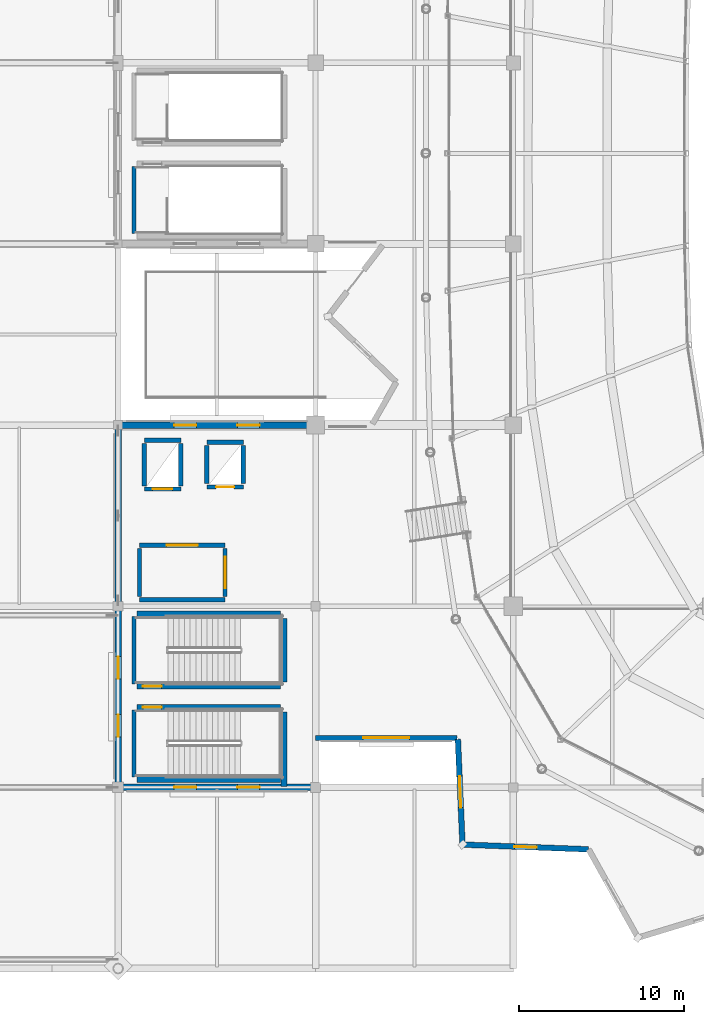
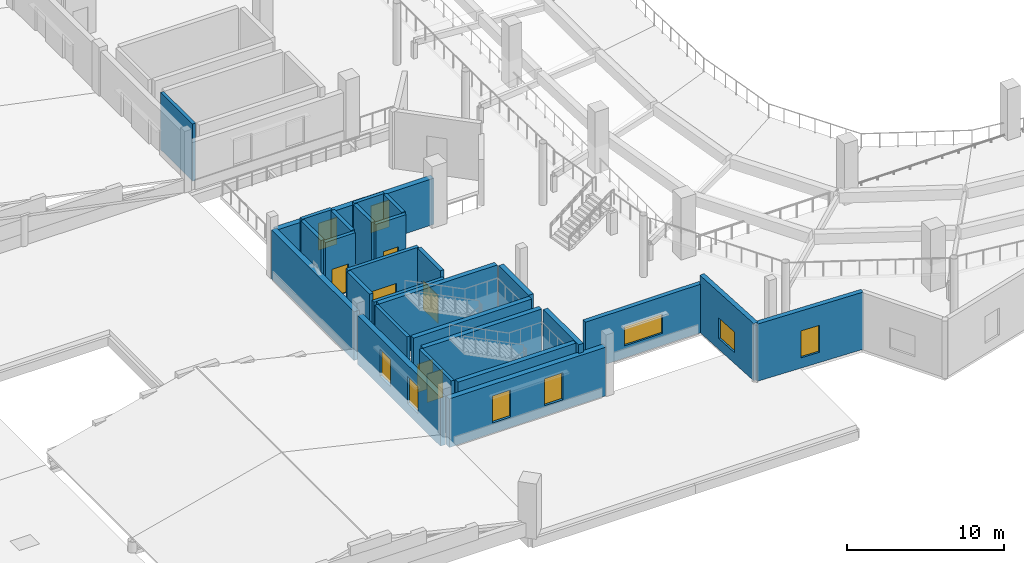
# One storey, part 51 of 77: 28 walls, 9 windows, 6 doors, 15 openings.
"""IFC4 building model written with IfcOpenShell, lengths in metres."""

from ifc_helpers import new_model, si_unit, direction, frame, frame_2d, origin, place, context, subcontext, project, spatial, rectangle, extrude, material, layer, layer_set, type_object, element, fill, save


model = new_model("IFC4")

# Units and contexts
model_context = context("Model", 3, precision=1e-05, world=origin(), true_north=direction((0.0, 1.0)))
body_context = subcontext(model_context, "Body", "Model", "MODEL_VIEW")
ifc_project = project(units=[si_unit("LENGTHUNIT", "METRE"), si_unit("AREAUNIT", "SQUARE_METRE"), si_unit("VOLUMEUNIT", "CUBIC_METRE"), si_unit("PLANEANGLEUNIT", "RADIAN"), si_unit("MASSUNIT", "GRAM", prefix="KILO")], contexts=[model_context])

# Site, building, storey
site_placement = place(None, origin())
site = spatial("IfcSite", under=ifc_project, at=site_placement, CompositionType="ELEMENT")
building_placement = place(site_placement, origin())
building = spatial("IfcBuilding", under=site, at=building_placement, Name="Luwafu Chhajja Arena", CompositionType="ELEMENT")
storey_placement = place(building_placement, frame((0.0, 0.0, 14.699951171875)))
storey = spatial("IfcBuildingStorey", under=building, at=storey_placement, Name="L03", CompositionType="ELEMENT", Elevation=14.699951171875)

# Wall, opening, door
ifc_material_1 = material(Name="Concrete C40/50", Category="concrete")
ifc_layer_1 = layer(ifc_material_1, 0.260009765625, Name="Concrete C40/50")
ifc_layer_set_1 = layer_set([ifc_layer_1], Name="Concrete C40/50")
wall_type_1 = type_object("IfcWallType", Name="Firefighting Lobby Wall 260", PredefinedType="SOLIDWALL", material=ifc_layer_set_1)
wall_1_placement = place(storey_placement, frame((35.300048828125, 25.699951171875, 0.0), z_axis=(0.0, 0.0, 1.0), x_axis=(1.0, 0.0, 0.0)))
wall_1 = element("IfcWall", 1, at=wall_1_placement, inside=storey, type_object=wall_type_1, Name="L03 Core C1 Firefighting Lobby Wall N", PredefinedType="SOLIDWALL", context=body_context, shape_type="SweptSolid", body=[
    extrude(rectangle(XDim=5.199951171875, YDim=0.260009765625, at=frame_2d((2.60009765625, 0.0))), origin(), (0.0, 0.0, 1.0), 4.4599609375),
])
opening_1_placement = place(wall_1_placement, frame((1.64990234375, 0.0, 0.0)))
opening_1 = element("IfcOpeningElement", 2, at=opening_1_placement, cuts=wall_1, Name="Opening DR-07", PredefinedType="OPENING", context=body_context, shape_type="SweptSolid", body=[
    extrude(rectangle(XDim=1.89990234375, YDim=2.199951171875, at=frame_2d((0.949951171875, 1.10009765625))), frame((0.0, 0.139892578125, 0.0), z_axis=(0.0, -1.0, 0.0), x_axis=(1.0, 0.0, 0.0)), (0.0, 0.0, 1.0), 0.280029296875),
])
ifc_material_2 = material(Name="Fire-rated hardwood and vision panel", Category="wood")
door_type_1 = type_object("IfcDoorType", Name="DR-07", OperationType="DOUBLE_DOOR_SINGLE_SWING", PredefinedType="DOOR", material=ifc_material_2)
door_1_placement = place(opening_1_placement, origin())
door_1 = element("IfcDoor", 3, at=door_1_placement, inside=storey, type_object=door_type_1, Name="L03 Firefighting Lobby C1 Door L03-D003", OperationType="DOUBLE_DOOR_SINGLE_SWING", OverallHeight=2.199951171875, OverallWidth=1.89990234375, PredefinedType="DOOR", context=body_context, shape_type="SweptSolid", body=[
    extrude(rectangle(XDim=1.89990234375, YDim=2.199951171875, at=frame_2d((0.949951171875, 1.10009765625))), frame((0.0, 0.02490234375, 0.0), z_axis=(0.0, -1.0, 0.0), x_axis=(1.0, 0.0, 0.0)), (0.0, 0.0, 1.0), 0.050048828125),
])
fill(opening_1, door_1)

# Walls
wall_2_placement = place(storey_placement, frame((35.300048828125, 22.39990234375, 0.0), z_axis=(0.0, 0.0, 1.0), x_axis=(1.0, 0.0, 0.0)))
element("IfcWall", 4, at=wall_2_placement, inside=storey, type_object=wall_type_1, Name="L03 Core C1 Firefighting Lobby Wall S", PredefinedType="SOLIDWALL", context=body_context, shape_type="SweptSolid", body=[
    extrude(rectangle(XDim=5.199951171875, YDim=0.260009765625, at=frame_2d((2.60009765625, 0.0))), origin(), (0.0, 0.0, 1.0), 3.989990234375),
])
wall_3_placement = place(storey_placement, frame((35.300048828125, 22.60009765625, 0.0), z_axis=(0.0, 0.0, 1.0), x_axis=(0.0, 1.0, 0.0)))
element("IfcWall", 5, at=wall_3_placement, inside=storey, type_object=wall_type_1, Name="L03 Core C1 Firefighting Lobby Wall W", PredefinedType="SOLIDWALL", context=body_context, shape_type="SweptSolid", body=[
    extrude(rectangle(XDim=2.89990234375, YDim=0.260009765625, at=frame_2d((1.449951171875, 0.0))), origin(), (0.0, 0.0, 1.0), 4.4599609375),
])

# Wall, opening, door
wall_4_placement = place(storey_placement, frame((40.5, 22.60009765625, 0.0), z_axis=(0.0, 0.0, 1.0), x_axis=(0.0, 1.0, 0.0)))
wall_4 = element("IfcWall", 6, at=wall_4_placement, inside=storey, type_object=wall_type_1, Name="L03 Core C1 Firefighting Lobby Wall E", PredefinedType="SOLIDWALL", context=body_context, shape_type="SweptSolid", body=[
    extrude(rectangle(XDim=2.89990234375, YDim=0.260009765625, at=frame_2d((1.449951171875, 0.0))), origin(), (0.0, 0.0, 1.0), 4.4599609375),
])
opening_2_placement = place(wall_4_placement, frame((0.5, 0.0, 0.0)))
opening_2 = element("IfcOpeningElement", 7, at=opening_2_placement, cuts=wall_4, Name="Opening DR-07", PredefinedType="OPENING", context=body_context, shape_type="SweptSolid", body=[
    extrude(rectangle(XDim=1.89990234375, YDim=2.199951171875, at=frame_2d((0.949951171875, 1.10009765625))), frame((0.0, 0.139892578125, 0.0), z_axis=(0.0, -1.0, 0.0), x_axis=(1.0, 0.0, 0.0)), (0.0, 0.0, 1.0), 0.280029296875),
])
door_2_placement = place(opening_2_placement, origin())
door_2 = element("IfcDoor", 8, at=door_2_placement, inside=storey, type_object=door_type_1, Name="L03 Firefighting Lobby C1 Door L03-D004", OperationType="DOUBLE_DOOR_SINGLE_SWING", OverallHeight=2.199951171875, OverallWidth=1.89990234375, PredefinedType="DOOR", context=body_context, shape_type="SweptSolid", body=[
    extrude(rectangle(XDim=1.89990234375, YDim=2.199951171875, at=frame_2d((0.949951171875, 1.10009765625))), frame((0.0, 0.02490234375, 0.0), z_axis=(0.0, -1.0, 0.0), x_axis=(1.0, 0.0, 0.0)), (0.0, 0.0, 1.0), 0.050048828125),
])
fill(opening_2, door_2)

ifc_material_3 = material(Name="Concrete C35/45", Category="concrete")
ifc_layer_2 = layer(ifc_material_3, 0.260009765625, Name="Concrete C35/45")
ifc_layer_set_2 = layer_set([ifc_layer_2], Name="Concrete C35/45")
wall_type_2 = type_object("IfcWallType", Name="Lift and Riser Shaft Wall 260", PredefinedType="SOLIDWALL", material=ifc_layer_set_2)
wall_5_placement = place(storey_placement, frame((35.590087890625, 29.114990234375, 0.0), z_axis=(0.0, 0.0, 1.0), x_axis=(1.0, 0.0, 0.0)))
wall_5 = element("IfcWall", 9, at=wall_5_placement, inside=storey, type_object=wall_type_2, Name="L03 Lift LF-01 Shaft Wall S", PredefinedType="SOLIDWALL", context=body_context, shape_type="SweptSolid", body=[
    extrude(rectangle(XDim=2.219970703125, YDim=0.260009765625, at=frame_2d((1.10986328125, 0.0))), origin(), (0.0, 0.0, 1.0), 4.4599609375),
])
opening_3_placement = place(wall_5_placement, frame((0.510009765625, 0.0, 0.0)))
opening_3 = element("IfcOpeningElement", 10, at=opening_3_placement, cuts=wall_5, Name="Opening LD-02", PredefinedType="OPENING", context=body_context, shape_type="SweptSolid", body=[
    extrude(rectangle(XDim=1.199951171875, YDim=2.199951171875, at=frame_2d((0.60009765625, 1.10009765625))), frame((0.0, 0.139892578125, 0.0), z_axis=(0.0, -1.0, 0.0), x_axis=(1.0, 0.0, 0.0)), (0.0, 0.0, 1.0), 0.280029296875),
])
ifc_material_4 = material(Name="Brushed stainless steel sliding leaves", Category="steel")
door_type_2 = type_object("IfcDoorType", Name="LD-02", OperationType="SLIDING_TO_LEFT", PredefinedType="DOOR", material=ifc_material_4)
door_3_placement = place(opening_3_placement, origin())
door_3 = element("IfcDoor", 11, at=door_3_placement, inside=storey, type_object=door_type_2, Name="L03 Lift LF-01 Landing Door L03-LD01", OperationType="SLIDING_TO_LEFT", OverallHeight=2.199951171875, OverallWidth=1.199951171875, PredefinedType="DOOR", context=body_context, shape_type="SweptSolid", body=[
    extrude(rectangle(XDim=1.199951171875, YDim=2.199951171875, at=frame_2d((0.60009765625, 1.10009765625))), frame((0.0, 0.02490234375, 0.0), z_axis=(0.0, -1.0, 0.0), x_axis=(1.0, 0.0, 0.0)), (0.0, 0.0, 1.0), 0.050048828125),
])
fill(opening_3, door_3)

# Walls
wall_6_placement = place(storey_placement, frame((35.590087890625, 32.0849609375, 0.0), z_axis=(0.0, 0.0, 1.0), x_axis=(1.0, 0.0, 0.0)))
element("IfcWall", 12, at=wall_6_placement, inside=storey, type_object=wall_type_2, Name="L03 Lift LF-01 Shaft Wall N", PredefinedType="SOLIDWALL", context=body_context, shape_type="SweptSolid", body=[
    extrude(rectangle(XDim=2.219970703125, YDim=0.260009765625, at=frame_2d((1.10986328125, 0.0))), origin(), (0.0, 0.0, 1.0), 4.4599609375),
])
for number, where, z_axis, x_axis, name in (
    (13, (35.590087890625, 29.31494140625, 0.0), (0.0, 0.0, 1.0), (0.0, 1.0, 0.0), "L03 Lift LF-01 Shaft Wall W"),
    (14, (37.81005859375, 29.31494140625, 0.0), (0.0, 0.0, 1.0), (0.0, 1.0, 0.0), "L03 Lift LF-01 Shaft Wall E"),
):
    element("IfcWall", number, at=place(storey_placement, frame(where, z_axis=z_axis, x_axis=x_axis)), inside=storey, type_object=wall_type_2, Name=name, PredefinedType="SOLIDWALL", context=body_context, shape_type="SweptSolid", body=[
        extrude(rectangle(XDim=2.570068359375, YDim=0.260009765625, at=frame_2d((1.28515625, 0.0))), origin(), (0.0, 0.0, 1.0), 4.4599609375),
    ])

# Wall, opening, door
wall_7_placement = place(storey_placement, frame((39.389892578125, 29.239990234375, 0.0), z_axis=(0.0, 0.0, 1.0), x_axis=(1.0, 0.0, 0.0)))
wall_7 = element("IfcWall", 15, at=wall_7_placement, inside=storey, type_object=wall_type_2, Name="L03 Lift LF-05 Shaft Wall S", PredefinedType="SOLIDWALL", context=body_context, shape_type="SweptSolid", body=[
    extrude(rectangle(XDim=2.22021484375, YDim=0.260009765625, at=frame_2d((1.110107421875, 0.0))), origin(), (0.0, 0.0, 1.0), 4.4599609375),
])
opening_4_placement = place(wall_7_placement, frame((0.56005859375, 0.0, 0.0)))
opening_4 = element("IfcOpeningElement", 16, at=opening_4_placement, cuts=wall_7, Name="Opening LD-01", PredefinedType="OPENING", context=body_context, shape_type="SweptSolid", body=[
    extrude(rectangle(XDim=1.10009765625, YDim=2.14990234375, at=frame_2d((0.550048828125, 1.074951171875))), frame((0.0, 0.139892578125, 0.0), z_axis=(0.0, -1.0, 0.0), x_axis=(1.0, 0.0, 0.0)), (0.0, 0.0, 1.0), 0.280029296875),
])
door_type_3 = type_object("IfcDoorType", Name="LD-01", OperationType="SLIDING_TO_LEFT", PredefinedType="DOOR", material=ifc_material_4)
door_4_placement = place(opening_4_placement, origin())
door_4 = element("IfcDoor", 17, at=door_4_placement, inside=storey, type_object=door_type_3, Name="L03 Lift LF-05 Landing Door L03-LD02", OperationType="SLIDING_TO_LEFT", OverallHeight=2.14990234375, OverallWidth=1.10009765625, PredefinedType="DOOR", context=body_context, shape_type="SweptSolid", body=[
    extrude(rectangle(XDim=1.10009765625, YDim=2.14990234375, at=frame_2d((0.550048828125, 1.074951171875))), frame((0.0, 0.02490234375, 0.0), z_axis=(0.0, -1.0, 0.0), x_axis=(1.0, 0.0, 0.0)), (0.0, 0.0, 1.0), 0.050048828125),
])
fill(opening_4, door_4)

# Walls
wall_8_placement = place(storey_placement, frame((39.389892578125, 31.9599609375, 0.0), z_axis=(0.0, 0.0, 1.0), x_axis=(1.0, 0.0, 0.0)))
element("IfcWall", 18, at=wall_8_placement, inside=storey, type_object=wall_type_2, Name="L03 Lift LF-05 Shaft Wall N", PredefinedType="SOLIDWALL", context=body_context, shape_type="SweptSolid", body=[
    extrude(rectangle(XDim=2.22021484375, YDim=0.260009765625, at=frame_2d((1.110107421875, 0.0))), origin(), (0.0, 0.0, 1.0), 4.4599609375),
])
for number, where, z_axis, x_axis, name in (
    (19, (39.389892578125, 29.43994140625, 0.0), (0.0, 0.0, 1.0), (0.0, 1.0, 0.0), "L03 Lift LF-05 Shaft Wall W"),
    (20, (41.610107421875, 29.43994140625, 0.0), (0.0, 0.0, 1.0), (0.0, 1.0, 0.0), "L03 Lift LF-05 Shaft Wall E"),
):
    element("IfcWall", number, at=place(storey_placement, frame(where, z_axis=z_axis, x_axis=x_axis)), inside=storey, type_object=wall_type_2, Name=name, PredefinedType="SOLIDWALL", context=body_context, shape_type="SweptSolid", body=[
        extrude(rectangle(XDim=2.320068359375, YDim=0.260009765625, at=frame_2d((1.16015625, 0.0))), origin(), (0.0, 0.0, 1.0), 4.4599609375),
    ])

# Wall, opening, window
ifc_material_5 = material(Name="Precast concrete C40/50", Category="concrete")
ifc_layer_3 = layer(ifc_material_5, 0.340087890625, Name="Precast concrete C40/50")
ifc_layer_set_3 = layer_set([ifc_layer_3], Name="Precast concrete C40/50")
wall_type_3 = type_object("IfcWallType", Name="Pleated Bowl V-Fold Wall 340", PredefinedType="USERDEFINED", material=ifc_layer_set_3)
wall_9_placement = place(storey_placement, frame((54.637451171875, 13.919921875, 0.0), z_axis=(0.0, 0.0, 1.0), x_axis=(0.043587819379, -0.99904959937, 0.0)))
wall_9 = element("IfcWall", 21, at=wall_9_placement, inside=storey, type_object=wall_type_3, Name="L03 Pleated Bowl V-Fold Wall 40", ObjectType="PLEATED FACADE WALL", PredefinedType="USERDEFINED", context=body_context, shape_type="SweptSolid", body=[
    extrude(rectangle(XDim=6.402099609375, YDim=0.340087890625, at=frame_2d((3.201171875, 0.0))), origin(), (0.0, 0.0, 1.0), 4.455078125),
])
opening_5_placement = place(wall_9_placement, frame((2.2509765625, 0.0, 0.85009765625)))
opening_5 = element("IfcOpeningElement", 22, at=opening_5_placement, cuts=wall_9, Name="Opening WN-15", PredefinedType="OPENING", context=body_context, shape_type="SweptSolid", body=[
    extrude(rectangle(XDim=1.89990234375, YDim=1.60009765625, at=frame_2d((0.949951171875, 0.800048828125))), frame((0.0, 0.179931640625, 0.0), z_axis=(0.0, -1.0, 0.0), x_axis=(1.0, 0.0, 0.0)), (0.0, 0.0, 1.0), 0.360107421875),
])
ifc_material_6 = material(Name="Solar-control laminated glass", Category="glass")
window_type_1 = type_object("IfcWindowType", Name="Pleated Drum Inward-Fold Clerestory 1900x1600", PartitioningType="SINGLE_PANEL", PredefinedType="WINDOW", material=ifc_material_6)
window_1_placement = place(opening_5_placement, origin())
window_1 = element("IfcWindow", 23, at=window_1_placement, inside=storey, type_object=window_type_1, Name="L03 Pleated Bowl Lancet Window 058", OverallHeight=1.60009765625, OverallWidth=1.89990234375, PartitioningType="SINGLE_PANEL", PredefinedType="WINDOW", context=body_context, shape_type="SweptSolid", body=[
    extrude(rectangle(XDim=1.89990234375, YDim=1.60009765625, at=frame_2d((0.949951171875, 0.800048828125))), frame((0.0, 0.030029296875, 0.0), z_axis=(0.0, -1.0, 0.0), x_axis=(1.0, 0.0, 0.0)), (0.0, 0.0, 1.0), 0.06005859375),
])
fill(opening_5, window_1)

wall_10_placement = place(storey_placement, frame((54.91650390625, 7.52392578125, 0.0), z_axis=(0.0, 0.0, 1.0), x_axis=(0.999297884119, -0.037466502319, 0.0)))
wall_10 = element("IfcWall", 24, at=wall_10_placement, inside=storey, type_object=wall_type_3, Name="L03 Pleated Bowl V-Fold Wall 41", ObjectType="PLEATED FACADE WALL", PredefinedType="USERDEFINED", context=body_context, shape_type="SweptSolid", body=[
    extrude(rectangle(XDim=7.6630859375, YDim=0.340087890625, at=frame_2d((3.83154296875, 0.0))), origin(), (0.0, 0.0, 1.0), 4.455078125),
])
opening_6_placement = place(wall_10_placement, frame((3.156494140625, 0.0, 0.800048828125)))
opening_6 = element("IfcOpeningElement", 25, at=opening_6_placement, cuts=wall_10, Name="Opening WN-17", PredefinedType="OPENING", context=body_context, shape_type="SweptSolid", body=[
    extrude(rectangle(XDim=1.35009765625, YDim=2.10009765625, at=frame_2d((0.675048828125, 1.050048828125))), frame((0.0, 0.179931640625, 0.0), z_axis=(0.0, -1.0, 0.0), x_axis=(1.0, 0.0, 0.0)), (0.0, 0.0, 1.0), 0.360107421875),
])
window_type_2 = type_object("IfcWindowType", Name="Exhibition Mezzanine Lancet Window 1350x2100", PartitioningType="SINGLE_PANEL", PredefinedType="WINDOW", material=ifc_material_6)
window_2_placement = place(opening_6_placement, origin())
window_2 = element("IfcWindow", 26, at=window_2_placement, inside=storey, type_object=window_type_2, Name="L03 Pleated Bowl Lancet Window 059", OverallHeight=2.10009765625, OverallWidth=1.35009765625, PartitioningType="SINGLE_PANEL", PredefinedType="WINDOW", context=body_context, shape_type="SweptSolid", body=[
    extrude(rectangle(XDim=1.35009765625, YDim=2.10009765625, at=frame_2d((0.675048828125, 1.050048828125))), frame((0.0, 0.030029296875, 0.0), z_axis=(0.0, -1.0, 0.0), x_axis=(1.0, 0.0, 0.0)), (0.0, 0.0, 1.0), 0.06005859375),
])
fill(opening_6, window_2)

# Walls
ifc_layer_4 = layer(ifc_material_1, 0.35009765625, Name="Concrete C40/50")
ifc_layer_set_4 = layer_set([ifc_layer_4], Name="Concrete C40/50")
wall_type_4 = type_object("IfcWallType", Name="RC Core Shear Wall 350", PredefinedType="SOLIDWALL", material=ifc_layer_set_4)
wall_11_placement = place(storey_placement, frame((44.072021484375, 11.050048828125, 0.0), z_axis=(0.0, 0.0, 1.0), x_axis=(0.0, 1.0, 0.0)))
element("IfcWall", 27, at=wall_11_placement, inside=storey, type_object=wall_type_4, Name="L03 Stair ST-01 Core Shear Wall E", PredefinedType="SOLIDWALL", context=body_context, shape_type="SweptSolid", body=[
    extrude(rectangle(XDim=4.5400390625, YDim=0.35009765625, at=frame_2d((2.27001953125, 0.0))), origin(), (0.0, 0.0, 1.0), 4.4599609375),
])
wall_12_placement = place(storey_placement, frame((35.14990234375, 11.47802734375, 0.0), z_axis=(0.0, 0.0, 1.0), x_axis=(1.0, 0.0, 0.0)))
element("IfcWall", 28, at=wall_12_placement, inside=storey, type_object=wall_type_4, Name="L03 Stair ST-01 Core Shear Wall S", PredefinedType="SOLIDWALL", context=body_context, shape_type="SweptSolid", body=[
    extrude(rectangle(XDim=8.7001953125, YDim=0.35009765625, at=frame_2d((4.35009765625, 0.0))), origin(), (0.0, 0.0, 1.0), 4.4599609375),
])

# Wall, opening, door
wall_13_placement = place(storey_placement, frame((35.14990234375, 15.862060546875, 0.0), z_axis=(0.0, 0.0, 1.0), x_axis=(1.0, 0.0, 0.0)))
wall_13 = element("IfcWall", 29, at=wall_13_placement, inside=storey, type_object=wall_type_4, Name="L03 Stair ST-01 Core Shear Wall N", PredefinedType="SOLIDWALL", context=body_context, shape_type="SweptSolid", body=[
    extrude(rectangle(XDim=8.7001953125, YDim=0.35009765625, at=frame_2d((4.35009765625, 0.0))), origin(), (0.0, 0.0, 1.0), 4.4599609375),
])
opening_7_placement = place(wall_13_placement, frame((0.35009765625, 0.0, 0.0)))
opening_7 = element("IfcOpeningElement", 30, at=opening_7_placement, cuts=wall_13, Name="Opening DR-06", PredefinedType="OPENING", context=body_context, shape_type="SweptSolid", body=[
    extrude(rectangle(XDim=1.14990234375, YDim=2.199951171875, at=frame_2d((0.574951171875, 1.10009765625))), frame((0.0, 0.18505859375, 0.0), z_axis=(0.0, -1.0, 0.0), x_axis=(1.0, 0.0, 0.0)), (0.0, 0.0, 1.0), 0.3701171875),
])
ifc_material_7 = material(Name="Fire-rated hardwood and steel core", Category="steel")
door_type_4 = type_object("IfcDoorType", Name="DR-06", OperationType="NOTDEFINED", PredefinedType="DOOR", material=ifc_material_7)
door_5_placement = place(opening_7_placement, origin())
door_5 = element("IfcDoor", 31, at=door_5_placement, inside=storey, type_object=door_type_4, Name="L03 Escape Stair ST-01 Fire Door L03-D001", OperationType="SINGLE_SWING_RIGHT", OverallHeight=2.199951171875, OverallWidth=1.14990234375, PredefinedType="DOOR", context=body_context, shape_type="SweptSolid", body=[
    extrude(rectangle(XDim=1.14990234375, YDim=2.199951171875, at=frame_2d((0.574951171875, 1.10009765625))), frame((0.0, 0.02490234375, 0.0), z_axis=(0.0, -1.0, 0.0), x_axis=(1.0, 0.0, 0.0)), (0.0, 0.0, 1.0), 0.050048828125),
])
fill(opening_7, door_5)

# Wall
wall_14_placement = place(storey_placement, frame((44.072021484375, 17.409912109375, 0.0), z_axis=(0.0, 0.0, 1.0), x_axis=(0.0, 1.0, 0.0)))
element("IfcWall", 32, at=wall_14_placement, inside=storey, type_object=wall_type_4, Name="L03 Stair ST-02 Core Shear Wall E", PredefinedType="SOLIDWALL", context=body_context, shape_type="SweptSolid", body=[
    extrude(rectangle(XDim=3.840087890625, YDim=0.35009765625, at=frame_2d((1.919921875, 0.0))), origin(), (0.0, 0.0, 1.0), 4.4599609375),
])

# Wall, opening, door
wall_15_placement = place(storey_placement, frame((35.14990234375, 17.137939453125, 0.0), z_axis=(0.0, 0.0, 1.0), x_axis=(1.0, 0.0, 0.0)))
wall_15 = element("IfcWall", 33, at=wall_15_placement, inside=storey, type_object=wall_type_4, Name="L03 Stair ST-02 Core Shear Wall S", PredefinedType="SOLIDWALL", context=body_context, shape_type="SweptSolid", body=[
    extrude(rectangle(XDim=8.7001953125, YDim=0.35009765625, at=frame_2d((4.35009765625, 0.0))), origin(), (0.0, 0.0, 1.0), 4.4599609375),
])
opening_8_placement = place(wall_15_placement, frame((0.35009765625, 0.0, 0.0)))
opening_8 = element("IfcOpeningElement", 34, at=opening_8_placement, cuts=wall_15, Name="Opening DR-06", PredefinedType="OPENING", context=body_context, shape_type="SweptSolid", body=[
    extrude(rectangle(XDim=1.14990234375, YDim=2.199951171875, at=frame_2d((0.574951171875, 1.10009765625))), frame((0.0, 0.18505859375, 0.0), z_axis=(0.0, -1.0, 0.0), x_axis=(1.0, 0.0, 0.0)), (0.0, 0.0, 1.0), 0.3701171875),
])
door_6_placement = place(opening_8_placement, origin())
door_6 = element("IfcDoor", 35, at=door_6_placement, inside=storey, type_object=door_type_4, Name="L03 Escape Stair ST-02 Fire Door L03-D002", OperationType="SINGLE_SWING_LEFT", OverallHeight=2.199951171875, OverallWidth=1.14990234375, PredefinedType="DOOR", context=body_context, shape_type="SweptSolid", body=[
    extrude(rectangle(XDim=1.14990234375, YDim=2.199951171875, at=frame_2d((0.574951171875, 1.10009765625))), frame((0.0, 0.02490234375, 0.0), z_axis=(0.0, -1.0, 0.0), x_axis=(1.0, 0.0, 0.0)), (0.0, 0.0, 1.0), 0.050048828125),
])
fill(opening_8, door_6)

# Wall
wall_16_placement = place(storey_placement, frame((35.14990234375, 21.52197265625, 0.0), z_axis=(0.0, 0.0, 1.0), x_axis=(1.0, 0.0, 0.0)))
element("IfcWall", 36, at=wall_16_placement, inside=storey, type_object=wall_type_4, Name="L03 Stair ST-02 Core Shear Wall N", PredefinedType="SOLIDWALL", context=body_context, shape_type="SweptSolid", body=[
    extrude(rectangle(XDim=8.7001953125, YDim=0.35009765625, at=frame_2d((4.35009765625, 0.0))), origin(), (0.0, 0.0, 1.0), 4.4599609375),
])

# Wall, openings, windows
ifc_layer_5 = layer(ifc_material_1, 0.39990234375, Name="Concrete C40/50")
ifc_layer_set_5 = layer_set([ifc_layer_5], Name="Concrete C40/50")
wall_type_5 = type_object("IfcWallType", Name="RC Core Shear Wall 400", PredefinedType="SOLIDWALL", material=ifc_layer_set_5)
wall_17_placement = place(storey_placement, frame((34.219970703125, 11.0, 0.0), z_axis=(0.0, 0.0, 1.0), x_axis=(1.0, 0.0, 0.0)))
wall_17 = element("IfcWall", 37, at=wall_17_placement, inside=storey, type_object=wall_type_5, Name="L03 Exterior Wall WEX-L03-180", PredefinedType="SOLIDWALL", context=body_context, shape_type="SweptSolid", body=[
    extrude(rectangle(XDim=11.56005859375, YDim=0.39990234375, at=frame_2d((5.780029296875, 0.0))), origin(), (0.0, 0.0, 1.0), 3.7900390625),
])
opening_9_placement = place(wall_17_placement, frame((3.17822265625, 0.0, 0.800048828125)))
opening_9 = element("IfcOpeningElement", 38, at=opening_9_placement, cuts=wall_17, Name="Opening WN-17", PredefinedType="OPENING", context=body_context, shape_type="SweptSolid", body=[
    extrude(rectangle(XDim=1.35009765625, YDim=2.10009765625, at=frame_2d((0.675048828125, 1.050048828125))), frame((0.0, 0.2099609375, 0.0), z_axis=(0.0, -1.0, 0.0), x_axis=(1.0, 0.0, 0.0)), (0.0, 0.0, 1.0), 0.419921875),
])
opening_10_placement = place(wall_17_placement, frame((7.03173828125, 0.0, 0.800048828125)))
opening_10 = element("IfcOpeningElement", 39, at=opening_10_placement, cuts=wall_17, Name="Opening WN-17", PredefinedType="OPENING", context=body_context, shape_type="SweptSolid", body=[
    extrude(rectangle(XDim=1.35009765625, YDim=2.10009765625, at=frame_2d((0.675048828125, 1.050048828125))), frame((0.0, 0.2099609375, 0.0), z_axis=(0.0, -1.0, 0.0), x_axis=(1.0, 0.0, 0.0)), (0.0, 0.0, 1.0), 0.419921875),
])
window_3_placement = place(opening_9_placement, origin())
window_3 = element("IfcWindow", 40, at=window_3_placement, inside=storey, type_object=window_type_2, Name="L03 Facade Window 118", OverallHeight=2.10009765625, OverallWidth=1.35009765625, PartitioningType="SINGLE_PANEL", PredefinedType="WINDOW", context=body_context, shape_type="SweptSolid", body=[
    extrude(rectangle(XDim=1.35009765625, YDim=2.10009765625, at=frame_2d((0.675048828125, 1.050048828125))), frame((0.0, 0.030029296875, 0.0), z_axis=(0.0, -1.0, 0.0), x_axis=(1.0, 0.0, 0.0)), (0.0, 0.0, 1.0), 0.06005859375),
])
fill(opening_9, window_3)
window_4_placement = place(opening_10_placement, origin())
window_4 = element("IfcWindow", 41, at=window_4_placement, inside=storey, type_object=window_type_2, Name="L03 Facade Window 119", OverallHeight=2.10009765625, OverallWidth=1.35009765625, PartitioningType="SINGLE_PANEL", PredefinedType="WINDOW", context=body_context, shape_type="SweptSolid", body=[
    extrude(rectangle(XDim=1.35009765625, YDim=2.10009765625, at=frame_2d((0.675048828125, 1.050048828125))), frame((0.0, 0.030029296875, 0.0), z_axis=(0.0, -1.0, 0.0), x_axis=(1.0, 0.0, 0.0)), (0.0, 0.0, 1.0), 0.06005859375),
])
fill(opening_10, window_4)

wall_18_placement = place(storey_placement, frame((34.0, 11.219970703125, 0.0), z_axis=(0.0, 0.0, 1.0), x_axis=(0.0, 1.0, 0.0)))
wall_18 = element("IfcWall", 42, at=wall_18_placement, inside=storey, type_object=wall_type_5, Name="L03 Exterior Wall WEX-L03-181", PredefinedType="SOLIDWALL", context=body_context, shape_type="SweptSolid", body=[
    extrude(rectangle(XDim=10.56005859375, YDim=0.39990234375, at=frame_2d((5.280029296875, 0.0))), origin(), (0.0, 0.0, 1.0), 3.7900390625),
])
opening_11_placement = place(wall_18_placement, frame((2.844970703125, 0.0, 0.800048828125)))
opening_11 = element("IfcOpeningElement", 43, at=opening_11_placement, cuts=wall_18, Name="Opening WN-17", PredefinedType="OPENING", context=body_context, shape_type="SweptSolid", body=[
    extrude(rectangle(XDim=1.35009765625, YDim=2.10009765625, at=frame_2d((0.675048828125, 1.050048828125))), frame((0.0, 0.2099609375, 0.0), z_axis=(0.0, -1.0, 0.0), x_axis=(1.0, 0.0, 0.0)), (0.0, 0.0, 1.0), 0.419921875),
])
opening_12_placement = place(wall_18_placement, frame((6.364990234375, 0.0, 0.800048828125)))
opening_12 = element("IfcOpeningElement", 44, at=opening_12_placement, cuts=wall_18, Name="Opening WN-17", PredefinedType="OPENING", context=body_context, shape_type="SweptSolid", body=[
    extrude(rectangle(XDim=1.35009765625, YDim=2.10009765625, at=frame_2d((0.675048828125, 1.050048828125))), frame((0.0, 0.2099609375, 0.0), z_axis=(0.0, -1.0, 0.0), x_axis=(1.0, 0.0, 0.0)), (0.0, 0.0, 1.0), 0.419921875),
])
window_5_placement = place(opening_11_placement, origin())
window_5 = element("IfcWindow", 45, at=window_5_placement, inside=storey, type_object=window_type_2, Name="L03 Facade Window 120", OverallHeight=2.10009765625, OverallWidth=1.35009765625, PartitioningType="SINGLE_PANEL", PredefinedType="WINDOW", context=body_context, shape_type="SweptSolid", body=[
    extrude(rectangle(XDim=1.35009765625, YDim=2.10009765625, at=frame_2d((0.675048828125, 1.050048828125))), frame((0.0, 0.030029296875, 0.0), z_axis=(0.0, -1.0, 0.0), x_axis=(1.0, 0.0, 0.0)), (0.0, 0.0, 1.0), 0.06005859375),
])
fill(opening_11, window_5)
window_6_placement = place(opening_12_placement, origin())
window_6 = element("IfcWindow", 46, at=window_6_placement, inside=storey, type_object=window_type_2, Name="L03 Facade Window 121", OverallHeight=2.10009765625, OverallWidth=1.35009765625, PartitioningType="SINGLE_PANEL", PredefinedType="WINDOW", context=body_context, shape_type="SweptSolid", body=[
    extrude(rectangle(XDim=1.35009765625, YDim=2.10009765625, at=frame_2d((0.675048828125, 1.050048828125))), frame((0.0, 0.030029296875, 0.0), z_axis=(0.0, -1.0, 0.0), x_axis=(1.0, 0.0, 0.0)), (0.0, 0.0, 1.0), 0.06005859375),
])
fill(opening_12, window_6)

wall_19_placement = place(storey_placement, frame((34.219970703125, 33.0, 0.0), z_axis=(0.0, 0.0, 1.0), x_axis=(1.0, 0.0, 0.0)))
wall_19 = element("IfcWall", 47, at=wall_19_placement, inside=storey, type_object=wall_type_5, Name="L03 Exterior Wall WEX-L03-182", PredefinedType="SOLIDWALL", context=body_context, shape_type="SweptSolid", body=[
    extrude(rectangle(XDim=11.56005859375, YDim=0.39990234375, at=frame_2d((5.780029296875, 0.0))), origin(), (0.0, 0.0, 1.0), 3.590087890625),
])
opening_13_placement = place(wall_19_placement, frame((3.17822265625, 0.0, 0.800048828125)))
opening_13 = element("IfcOpeningElement", 48, at=opening_13_placement, cuts=wall_19, Name="Opening WN-17", PredefinedType="OPENING", context=body_context, shape_type="SweptSolid", body=[
    extrude(rectangle(XDim=1.35009765625, YDim=2.10009765625, at=frame_2d((0.675048828125, 1.050048828125))), frame((0.0, 0.2099609375, 0.0), z_axis=(0.0, -1.0, 0.0), x_axis=(1.0, 0.0, 0.0)), (0.0, 0.0, 1.0), 0.419921875),
])
opening_14_placement = place(wall_19_placement, frame((7.03173828125, 0.0, 0.800048828125)))
opening_14 = element("IfcOpeningElement", 49, at=opening_14_placement, cuts=wall_19, Name="Opening WN-17", PredefinedType="OPENING", context=body_context, shape_type="SweptSolid", body=[
    extrude(rectangle(XDim=1.35009765625, YDim=2.10009765625, at=frame_2d((0.675048828125, 1.050048828125))), frame((0.0, 0.2099609375, 0.0), z_axis=(0.0, -1.0, 0.0), x_axis=(1.0, 0.0, 0.0)), (0.0, 0.0, 1.0), 0.419921875),
])
window_7_placement = place(opening_13_placement, origin())
window_7 = element("IfcWindow", 50, at=window_7_placement, inside=storey, type_object=window_type_2, Name="L03 Facade Window 122", OverallHeight=2.10009765625, OverallWidth=1.35009765625, PartitioningType="SINGLE_PANEL", PredefinedType="WINDOW", context=body_context, shape_type="SweptSolid", body=[
    extrude(rectangle(XDim=1.35009765625, YDim=2.10009765625, at=frame_2d((0.675048828125, 1.050048828125))), frame((0.0, 0.030029296875, 0.0), z_axis=(0.0, -1.0, 0.0), x_axis=(1.0, 0.0, 0.0)), (0.0, 0.0, 1.0), 0.06005859375),
])
fill(opening_13, window_7)
window_8_placement = place(opening_14_placement, origin())
window_8 = element("IfcWindow", 51, at=window_8_placement, inside=storey, type_object=window_type_2, Name="L03 Facade Window 123", OverallHeight=2.10009765625, OverallWidth=1.35009765625, PartitioningType="SINGLE_PANEL", PredefinedType="WINDOW", context=body_context, shape_type="SweptSolid", body=[
    extrude(rectangle(XDim=1.35009765625, YDim=2.10009765625, at=frame_2d((0.675048828125, 1.050048828125))), frame((0.0, 0.030029296875, 0.0), z_axis=(0.0, -1.0, 0.0), x_axis=(1.0, 0.0, 0.0)), (0.0, 0.0, 1.0), 0.06005859375),
])
fill(opening_14, window_8)

# Wall
wall_20_placement = place(storey_placement, frame((34.0, 22.219970703125, 0.0), z_axis=(0.0, 0.0, 1.0), x_axis=(0.0, 1.0, 0.0)))
element("IfcWall", 52, at=wall_20_placement, inside=storey, type_object=wall_type_5, Name="L03 Exterior Wall WEX-L03-183", PredefinedType="SOLIDWALL", context=body_context, shape_type="SweptSolid", body=[
    extrude(rectangle(XDim=10.56005859375, YDim=0.39990234375, at=frame_2d((5.280029296875, 0.0))), origin(), (0.0, 0.0, 1.0), 3.7900390625),
])

# Wall, opening, window
ifc_layer_6 = layer(ifc_material_3, 0.320068359375, Name="Concrete C35/45")
ifc_layer_set_6 = layer_set([ifc_layer_6], Name="Concrete C35/45")
wall_type_6 = type_object("IfcWallType", Name="Sandstone Backed Exterior Wall 320", PredefinedType="SOLIDWALL", material=ifc_layer_set_6)
wall_21_placement = place(storey_placement, frame((46.0, 14.0, 0.0), z_axis=(0.0, 0.0, 1.0), x_axis=(1.0, 0.0, 0.0)))
wall_21 = element("IfcWall", 53, at=wall_21_placement, inside=storey, type_object=wall_type_6, Name="L03 Exterior Wall WEX-L03-192", PredefinedType="SOLIDWALL", context=body_context, shape_type="SweptSolid", body=[
    extrude(rectangle(XDim=8.573974609375, YDim=0.320068359375, at=frame_2d((4.287109375, 0.0))), origin(), (0.0, 0.0, 1.0), 3.7900390625),
])
opening_15_placement = place(wall_21_placement, frame((2.886962890625, 0.0, 0.949951171875)))
opening_15 = element("IfcOpeningElement", 54, at=opening_15_placement, cuts=wall_21, Name="Opening WN-12", PredefinedType="OPENING", context=body_context, shape_type="SweptSolid", body=[
    extrude(rectangle(XDim=2.800048828125, YDim=1.5, at=frame_2d((1.39990234375, 0.75))), frame((0.0, 0.169921875, 0.0), z_axis=(0.0, -1.0, 0.0), x_axis=(1.0, 0.0, 0.0)), (0.0, 0.0, 1.0), 0.340087890625),
])
window_type_3 = type_object("IfcWindowType", Name="Media Press Room Ribbon Window 2800x1500", PartitioningType="SINGLE_PANEL", PredefinedType="WINDOW", material=ifc_material_6)
window_9_placement = place(opening_15_placement, origin())
window_9 = element("IfcWindow", 55, at=window_9_placement, inside=storey, type_object=window_type_3, Name="L03 Facade Window 138", OverallHeight=1.5, OverallWidth=2.800048828125, PartitioningType="SINGLE_PANEL", PredefinedType="WINDOW", context=body_context, shape_type="SweptSolid", body=[
    extrude(rectangle(XDim=2.800048828125, YDim=1.5, at=frame_2d((1.39990234375, 0.75))), frame((0.0, 0.030029296875, 0.0), z_axis=(0.0, -1.0, 0.0), x_axis=(1.0, 0.0, 0.0)), (0.0, 0.0, 1.0), 0.06005859375),
])
fill(opening_15, window_9)

# Walls
ifc_layer_7 = layer(ifc_material_3, 0.22998046875, Name="Concrete C35/45")
ifc_layer_set_7 = layer_set([ifc_layer_7], Name="Concrete C35/45")
wall_type_7 = type_object("IfcWallType", Name="Stair Enclosure Wall 230", PredefinedType="SOLIDWALL", material=ifc_layer_set_7)
for number, where, z_axis, x_axis, name in (
    (56, (34.9599609375, 11.6298828125, 0.0), (0.0, 0.0, 1.0), (0.0, 1.0, 0.0), "L03 Stair ST-01 Enclosure Wall W"),
    (57, (34.9599609375, 17.2900390625, 0.0), (0.0, 0.0, 1.0), (0.0, 1.0, 0.0), "L03 Stair ST-02 Enclosure Wall W"),
    (58, (34.9599609375, 44.6298828125, 0.0), (0.0, 0.0, 1.0), (0.0, 1.0, 0.0), "L03 Stair ST-09 Enclosure Wall W"),
):
    element("IfcWall", number, at=place(storey_placement, frame(where, z_axis=z_axis, x_axis=x_axis)), inside=storey, type_object=wall_type_7, Name=name, PredefinedType="SOLIDWALL", context=body_context, shape_type="SweptSolid", body=[
        extrude(rectangle(XDim=4.080078125, YDim=0.22998046875, at=frame_2d((2.0400390625, 0.0))), origin(), (0.0, 0.0, 1.0), 4.4599609375),
    ])

save(model, "model.ifc")
